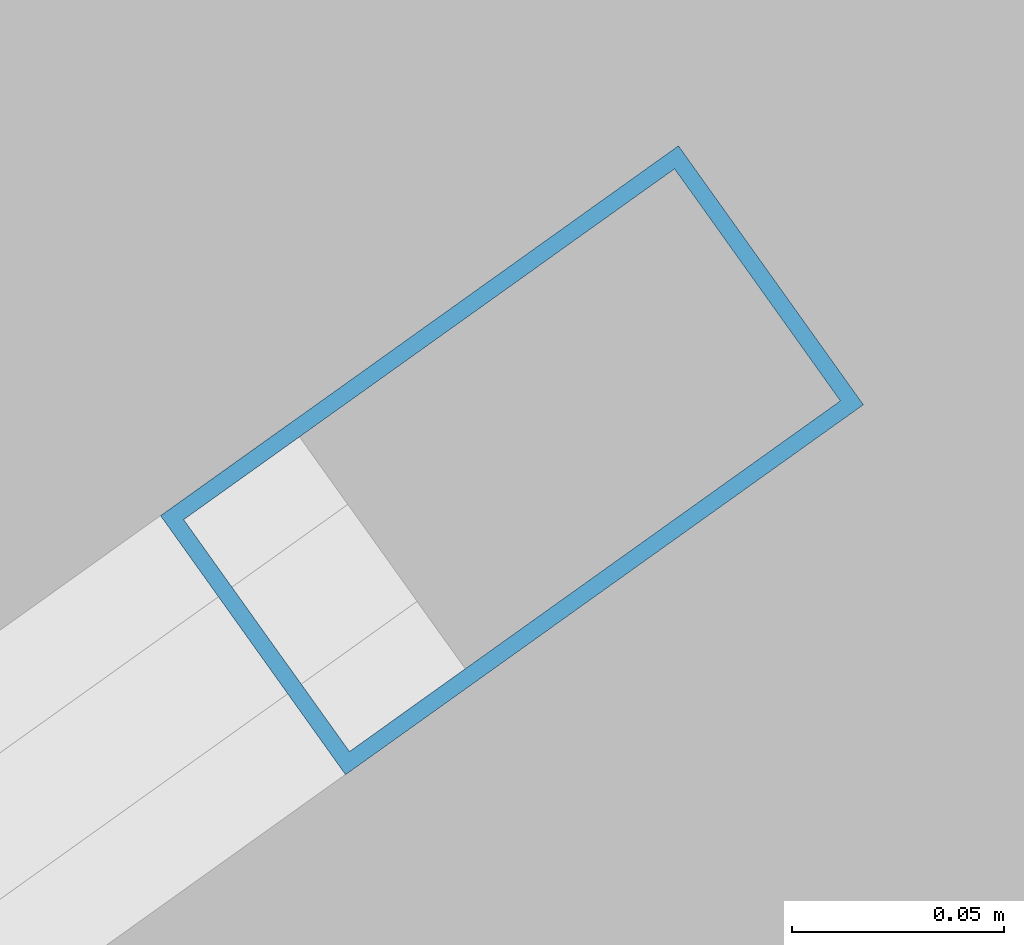
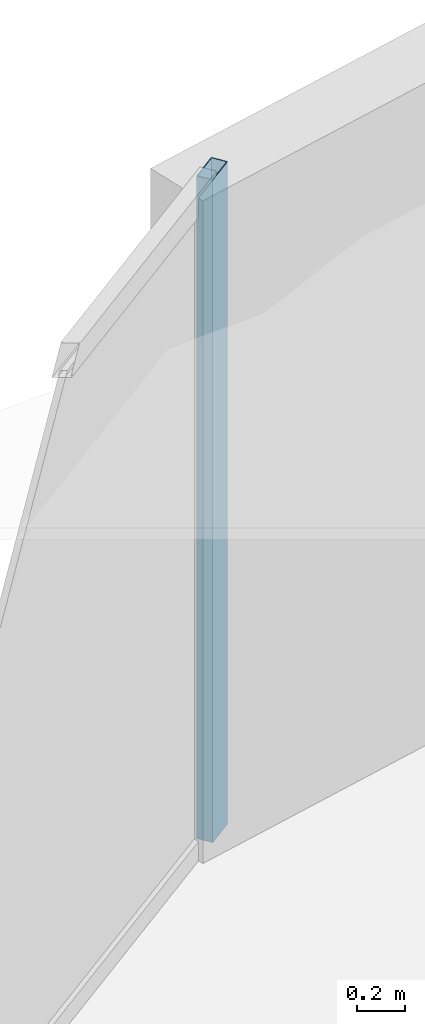
# One storey, part 19 of 33: 1 member, 1 element without a shape of its own.
"""IFC4 building model written with IfcOpenShell, lengths in metres."""

from ifc_helpers import new_model, si_unit, direction, frame, origin, origin_2d, place, context, subcontext, project, spatial, hollow_rectangle, extrude, material, layer, layer_set, material_profile, profile_set, type_object, element, aggregate, save


model = new_model("IFC4")

# Units and contexts
model_context = context("Model", 3, precision=1e-05, world=origin(), true_north=direction((0.0, 1.0)))
body_context = subcontext(model_context, "Body", "Model", "MODEL_VIEW")
ifc_project = project(units=[si_unit("LENGTHUNIT", "METRE"), si_unit("AREAUNIT", "SQUARE_METRE"), si_unit("VOLUMEUNIT", "CUBIC_METRE"), si_unit("PLANEANGLEUNIT", "RADIAN"), si_unit("MASSUNIT", "GRAM", prefix="KILO")], contexts=[model_context])

# Site, building, storey
site_placement = place(None, origin())
site = spatial("IfcSite", under=ifc_project, at=site_placement, CompositionType="ELEMENT")
building_placement = place(site_placement, origin())
building = spatial("IfcBuilding", under=site, at=building_placement, Name="Kazevale Care Tower and Concert Hall", CompositionType="ELEMENT")
storey_placement = place(building_placement, frame((0.0, 0.0, 149.39990234375)))
storey = spatial("IfcBuildingStorey", under=building, at=storey_placement, Name="L39", CompositionType="ELEMENT", Elevation=149.39990234375)

# Curtain wall, member
ifc_material_1 = material(Name="Aluminium 6063-T6 and Low-E Glass", Category="aluminium")
ifc_layer = layer(ifc_material_1, 0.179931640625)
ifc_layer_set = layer_set([ifc_layer], Name="Aluminium 6063-T6 and Low-E Glass")
curtain_wall_type = type_object("IfcCurtainWallType", Name="Convex Recessed Sunroom Curtain Wall CW-3", PredefinedType="NOTDEFINED", material=ifc_layer_set)
curtain_wall_placement = place(storey_placement, origin())
curtain_wall = element("IfcCurtainWall", 1, at=curtain_wall_placement, inside=storey, type_object=curtain_wall_type, Name="cw:L39:f14", PredefinedType="NOTDEFINED")
ifc_material_2 = material(Name="Aluminium 6063-T6", Category="aluminium")
ifc_material_profile = material_profile(ifc_material_2, hollow_rectangle(XDim=0.074951171875, YDim=0.14990234375, WallThickness=0.00390625, at=origin_2d()), Name="ALU75x150x4")
ifc_profile_set = profile_set([ifc_material_profile], Name="Aluminium 6063-T6")
member_type = type_object("IfcMemberType", Name="CW-3 Mullion ALU75x150x4", PredefinedType="MULLION", material=ifc_profile_set)
member_placement = place(storey_placement, frame((26.70947265625, 60.662109375, 0.0), z_axis=(0.0, 0.0, 1.0), x_axis=(-0.58132396176, 0.813672201494, 0.0)))
member = element("IfcMember", 2, at=member_placement, type_object=member_type, Name="CW-3 mullion 2", PredefinedType="MULLION", context=body_context, shape_type="SweptSolid", body=[
    extrude(hollow_rectangle(XDim=0.074951171875, YDim=0.14990234375, WallThickness=0.00390625, at=origin_2d()), origin(), (0.0, 0.0, 1.0), 3.360107421875),
])
aggregate(curtain_wall, [member])

save(model, "model.ifc")
